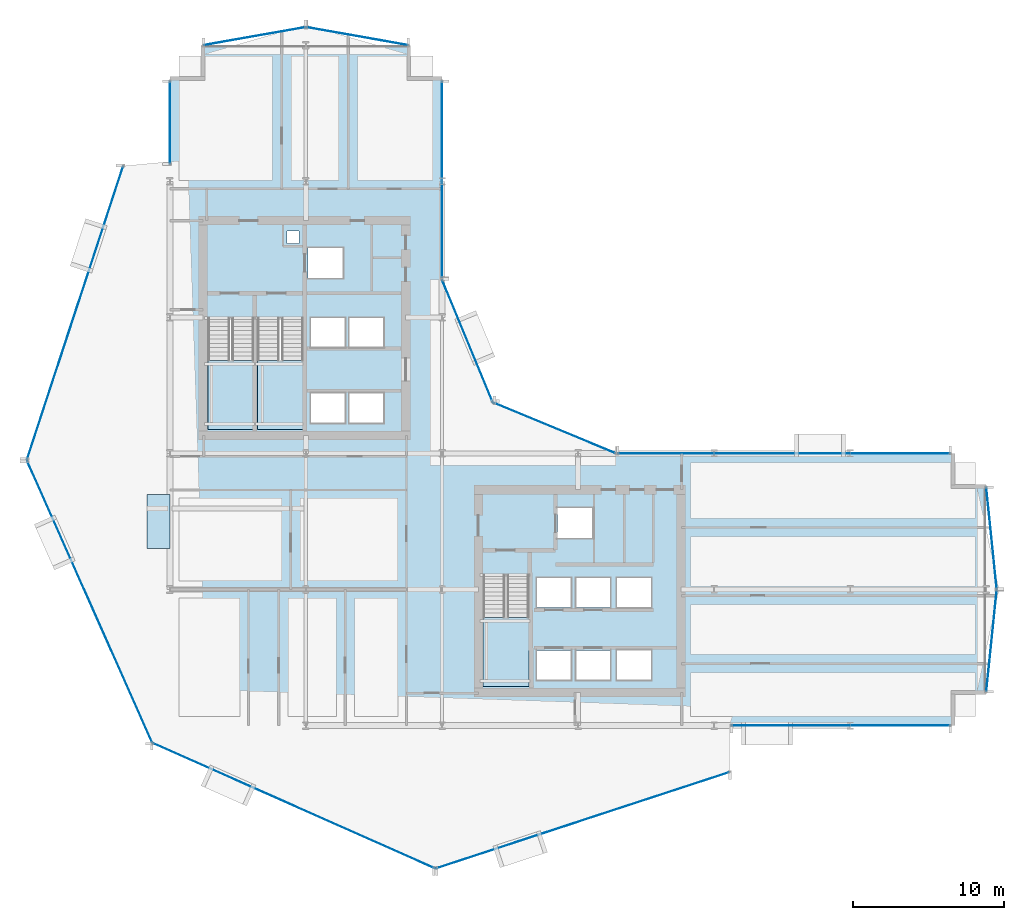
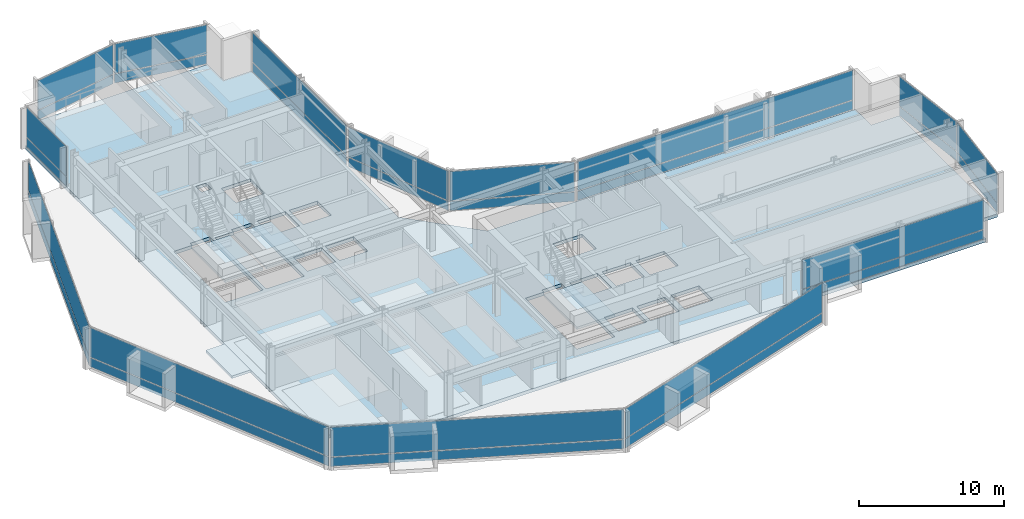
# One storey, part 26 of 34: 28 plates, 5 slabs, 17 elements without a shape of their own.
"""IFC4 building model written with IfcOpenShell, lengths in metres."""

from ifc_helpers import new_model, si_unit, direction, frame, origin, origin_2d, place, context, subcontext, project, spatial, polyline, rectangle, outline, extrude, material, layer, layer_set, type_object, element, aggregate, save


model = new_model("IFC4")

# Units and contexts
model_context = context("Model", 3, precision=1e-05, world=origin(), true_north=direction((0.0, 1.0)))
body_context = subcontext(model_context, "Body", "Model", "MODEL_VIEW")
ifc_project = project(units=[si_unit("LENGTHUNIT", "METRE"), si_unit("AREAUNIT", "SQUARE_METRE"), si_unit("VOLUMEUNIT", "CUBIC_METRE"), si_unit("PLANEANGLEUNIT", "RADIAN"), si_unit("MASSUNIT", "GRAM", prefix="KILO")], contexts=[model_context])

# Site, building, storey
site_placement = place(None, origin())
site = spatial("IfcSite", under=ifc_project, at=site_placement, CompositionType="ELEMENT")
building_placement = place(site_placement, origin())
building = spatial("IfcBuilding", under=site, at=building_placement, Name="Solvaryn Broadcast Tower", CompositionType="ELEMENT")
storey_placement = place(building_placement, frame((0.0, 0.0, 50.800048828125)))
storey = spatial("IfcBuildingStorey", under=building, at=storey_placement, Name="L11", CompositionType="ELEMENT", Elevation=50.800048828125)

# Curtain wall, plates
ifc_material_1 = material(Name="Aluminium and Terracotta Unitised Curtain Wall", Category="masonry")
ifc_layer_1 = layer(ifc_material_1, 0.199951171875)
ifc_layer_set_1 = layer_set([ifc_layer_1], Name="CW-SYS2-LOWMID")
curtain_wall_type = type_object("IfcCurtainWallType", Name="CW-SYS2-LOWMID", PredefinedType="NOTDEFINED", material=ifc_layer_set_1)
curtain_wall_1_placement = place(storey_placement, origin())
curtain_wall_1 = element("IfcCurtainWall", 1, at=curtain_wall_1_placement, inside=storey, type_object=curtain_wall_type, Name="L11 Curtain Wall DR1", PredefinedType="NOTDEFINED")
ifc_material_2 = material(Name="Low-Iron Insulated Vision Glass", Category="glass")
ifc_layer_2 = layer(ifc_material_2, 0.035888671875)
ifc_layer_set_2 = layer_set([ifc_layer_2], Name="CW-PNL-VISION")
plate_type = type_object("IfcPlateType", Name="CW-PNL-VISION", PredefinedType="CURTAIN_PANEL", material=ifc_layer_set_2)
plate_1_placement = place(storey_placement, frame((2.72607421875, 36.2880859375, 0.06005859375), z_axis=(0.0, 0.0, 1.0), x_axis=(-0.311594044587, -0.950215318429, 0.0)))
plate_1 = element("IfcPlate", 2, at=plate_1_placement, type_object=plate_type, Name="CWS2 panel 1.1", PredefinedType="CURTAIN_PANEL", context=body_context, shape_type="SweptSolid", body=[
    extrude(rectangle(XDim=20.35546875, YDim=0.028076171875, at=origin_2d()), origin(), (0.0, 0.0, 1.0), 0.760009765625),
])
plate_2_placement = place(storey_placement, frame((2.72607421875, 36.2880859375, 0.8798828125), z_axis=(0.0, 0.0, 1.0), x_axis=(-0.311594044587, -0.950215318429, 0.0)))
plate_2 = element("IfcPlate", 3, at=plate_2_placement, type_object=plate_type, Name="CWS2 panel 1.2", PredefinedType="CURTAIN_PANEL", context=body_context, shape_type="SweptSolid", body=[
    extrude(rectangle(XDim=20.35546875, YDim=0.028076171875, at=origin_2d()), origin(), (0.0, 0.0, 1.0), 2.47998046875),
])
aggregate(curtain_wall_1, [plate_1, plate_2])

curtain_wall_2_placement = place(storey_placement, origin())
curtain_wall_2 = element("IfcCurtainWall", 4, at=curtain_wall_2_placement, inside=storey, type_object=curtain_wall_type, Name="L11 Curtain Wall DR2", PredefinedType="NOTDEFINED")
plate_3_placement = place(storey_placement, frame((3.69140625, 17.20361328125, 0.06005859375), z_axis=(0.0, 0.0, 1.0), x_axis=(0.405898286554, -0.913918257271, 0.0)))
plate_3 = element("IfcPlate", 5, at=plate_3_placement, type_object=plate_type, Name="CWS2 panel 1.1", PredefinedType="CURTAIN_PANEL", context=body_context, shape_type="SweptSolid", body=[
    extrude(rectangle(XDim=20.35546875, YDim=0.028076171875, at=origin_2d()), origin(), (0.0, 0.0, 1.0), 0.760009765625),
])
plate_4_placement = place(storey_placement, frame((3.69140625, 17.20361328125, 0.8798828125), z_axis=(0.0, 0.0, 1.0), x_axis=(0.405898286554, -0.913918257271, 0.0)))
plate_4 = element("IfcPlate", 6, at=plate_4_placement, type_object=plate_type, Name="CWS2 panel 1.2", PredefinedType="CURTAIN_PANEL", context=body_context, shape_type="SweptSolid", body=[
    extrude(rectangle(XDim=20.35546875, YDim=0.028076171875, at=origin_2d()), origin(), (0.0, 0.0, 1.0), 2.47998046875),
])
aggregate(curtain_wall_2, [plate_3, plate_4])

curtain_wall_3_placement = place(storey_placement, origin())
curtain_wall_3 = element("IfcCurtainWall", 7, at=curtain_wall_3_placement, inside=storey, type_object=curtain_wall_type, Name="L11 Curtain Wall DR3", PredefinedType="NOTDEFINED")
plate_5_placement = place(storey_placement, frame((17.20361328125, 3.69140625, 0.06005859375), z_axis=(0.0, 0.0, 1.0), x_axis=(0.913918257271, -0.405898286554, 0.0)))
plate_5 = element("IfcPlate", 8, at=plate_5_placement, type_object=plate_type, Name="CWS2 panel 1.1", PredefinedType="CURTAIN_PANEL", context=body_context, shape_type="SweptSolid", body=[
    extrude(rectangle(XDim=20.35546875, YDim=0.028076171875, at=origin_2d()), origin(), (0.0, 0.0, 1.0), 0.760009765625),
])
plate_6_placement = place(storey_placement, frame((17.20361328125, 3.69140625, 0.8798828125), z_axis=(0.0, 0.0, 1.0), x_axis=(0.913918257271, -0.405898286554, 0.0)))
plate_6 = element("IfcPlate", 9, at=plate_6_placement, type_object=plate_type, Name="CWS2 panel 1.2", PredefinedType="CURTAIN_PANEL", context=body_context, shape_type="SweptSolid", body=[
    extrude(rectangle(XDim=20.35546875, YDim=0.028076171875, at=origin_2d()), origin(), (0.0, 0.0, 1.0), 2.47998046875),
])
aggregate(curtain_wall_3, [plate_5, plate_6])

curtain_wall_4_placement = place(storey_placement, origin())
curtain_wall_4 = element("IfcCurtainWall", 10, at=curtain_wall_4_placement, inside=storey, type_object=curtain_wall_type, Name="L11 Curtain Wall DR4", PredefinedType="NOTDEFINED")
plate_7_placement = place(storey_placement, frame((36.2880859375, 2.72607421875, 0.06005859375), z_axis=(0.0, 0.0, 1.0), x_axis=(0.950215318429, 0.311594044587, 0.0)))
plate_7 = element("IfcPlate", 11, at=plate_7_placement, type_object=plate_type, Name="CWS2 panel 1.1", PredefinedType="CURTAIN_PANEL", context=body_context, shape_type="SweptSolid", body=[
    extrude(rectangle(XDim=20.35546875, YDim=0.028076171875, at=origin_2d()), origin(), (0.0, 0.0, 1.0), 0.760009765625),
])
plate_8_placement = place(storey_placement, frame((36.2880859375, 2.72607421875, 0.8798828125), z_axis=(0.0, 0.0, 1.0), x_axis=(0.950215318429, 0.311594044587, 0.0)))
plate_8 = element("IfcPlate", 12, at=plate_8_placement, type_object=plate_type, Name="CWS2 panel 1.2", PredefinedType="CURTAIN_PANEL", context=body_context, shape_type="SweptSolid", body=[
    extrude(rectangle(XDim=20.35546875, YDim=0.028076171875, at=origin_2d()), origin(), (0.0, 0.0, 1.0), 2.47998046875),
])
aggregate(curtain_wall_4, [plate_7, plate_8])

curtain_wall_5_placement = place(storey_placement, origin())
curtain_wall_5 = element("IfcCurtainWall", 13, at=curtain_wall_5_placement, inside=storey, type_object=curtain_wall_type, Name="L11 Curtain Wall W2", PredefinedType="NOTDEFINED")
plate_9_placement = place(storey_placement, frame((9.0, 48.883056640625, 0.06005859375), z_axis=(0.0, 0.0, 1.0), x_axis=(0.0, 1.0, 0.0)))
plate_9 = element("IfcPlate", 14, at=plate_9_placement, type_object=plate_type, Name="CWS2 panel 1.1", PredefinedType="CURTAIN_PANEL", context=body_context, shape_type="SweptSolid", body=[
    extrude(rectangle(XDim=5.4140625, YDim=0.028076171875, at=origin_2d()), origin(), (0.0, 0.0, 1.0), 0.760009765625),
])
plate_10_placement = place(storey_placement, frame((9.0, 48.883056640625, 0.8798828125), z_axis=(0.0, 0.0, 1.0), x_axis=(0.0, 1.0, 0.0)))
plate_10 = element("IfcPlate", 15, at=plate_10_placement, type_object=plate_type, Name="CWS2 panel 1.2", PredefinedType="CURTAIN_PANEL", context=body_context, shape_type="SweptSolid", body=[
    extrude(rectangle(XDim=5.4140625, YDim=0.028076171875, at=origin_2d()), origin(), (0.0, 0.0, 1.0), 2.47998046875),
])
aggregate(curtain_wall_5, [plate_9, plate_10])

curtain_wall_6_placement = place(storey_placement, origin())
curtain_wall_6 = element("IfcCurtainWall", 16, at=curtain_wall_6_placement, inside=storey, type_object=curtain_wall_type, Name="L11 Curtain Wall IV", PredefinedType="NOTDEFINED")
plate_11_placement = place(storey_placement, frame((27.0, 45.125, 0.06005859375), z_axis=(0.0, 0.0, 1.0), x_axis=(0.0, -1.0, 0.0)))
plate_11 = element("IfcPlate", 17, at=plate_11_placement, type_object=plate_type, Name="CWS2 panel 1.1", PredefinedType="CURTAIN_PANEL", context=body_context, shape_type="SweptSolid", body=[
    extrude(rectangle(XDim=12.929931640625, YDim=0.028076171875, at=origin_2d()), origin(), (0.0, 0.0, 1.0), 0.760009765625),
])
plate_12_placement = place(storey_placement, frame((27.0, 45.125, 0.8798828125), z_axis=(0.0, 0.0, 1.0), x_axis=(0.0, -1.0, 0.0)))
plate_12 = element("IfcPlate", 18, at=plate_12_placement, type_object=plate_type, Name="CWS2 panel 1.2", PredefinedType="CURTAIN_PANEL", context=body_context, shape_type="SweptSolid", body=[
    extrude(rectangle(XDim=12.929931640625, YDim=0.028076171875, at=origin_2d()), origin(), (0.0, 0.0, 1.0), 2.47998046875),
])
aggregate(curtain_wall_6, [plate_11, plate_12])

curtain_wall_7_placement = place(storey_placement, origin())
curtain_wall_7 = element("IfcCurtainWall", 19, at=curtain_wall_7_placement, inside=storey, type_object=curtain_wall_type, Name="L11 Curtain Wall CN1", PredefinedType="NOTDEFINED")
plate_13_placement = place(storey_placement, frame((34.43408203125, 28.68408203125, 0.06005859375), z_axis=(0.0, 0.0, 1.0), x_axis=(-0.923894983957, 0.382646127145, 0.0)))
plate_13 = element("IfcPlate", 20, at=plate_13_placement, type_object=plate_type, Name="CWS2 panel 1.1", PredefinedType="CURTAIN_PANEL", context=body_context, shape_type="SweptSolid", body=[
    extrude(rectangle(XDim=8.681884765625, YDim=0.028076171875, at=origin_2d()), origin(), (0.0, 0.0, 1.0), 0.760009765625),
])
plate_14_placement = place(storey_placement, frame((34.43408203125, 28.68408203125, 0.8798828125), z_axis=(0.0, 0.0, 1.0), x_axis=(-0.923894983957, 0.382646127145, 0.0)))
plate_14 = element("IfcPlate", 21, at=plate_14_placement, type_object=plate_type, Name="CWS2 panel 1.2", PredefinedType="CURTAIN_PANEL", context=body_context, shape_type="SweptSolid", body=[
    extrude(rectangle(XDim=8.681884765625, YDim=0.028076171875, at=origin_2d()), origin(), (0.0, 0.0, 1.0), 2.47998046875),
])
aggregate(curtain_wall_7, [plate_13, plate_14])

curtain_wall_8_placement = place(storey_placement, origin())
curtain_wall_8 = element("IfcCurtainWall", 22, at=curtain_wall_8_placement, inside=storey, type_object=curtain_wall_type, Name="L11 Curtain Wall CN2", PredefinedType="NOTDEFINED")
plate_15_placement = place(storey_placement, frame((28.68408203125, 34.43408203125, 0.06005859375), z_axis=(0.0, 0.0, 1.0), x_axis=(-0.382646127145, 0.923894983957, 0.0)))
plate_15 = element("IfcPlate", 23, at=plate_15_placement, type_object=plate_type, Name="CWS2 panel 1.1", PredefinedType="CURTAIN_PANEL", context=body_context, shape_type="SweptSolid", body=[
    extrude(rectangle(XDim=8.681884765625, YDim=0.028076171875, at=origin_2d()), origin(), (0.0, 0.0, 1.0), 0.760009765625),
])
plate_16_placement = place(storey_placement, frame((28.68408203125, 34.43408203125, 0.8798828125), z_axis=(0.0, 0.0, 1.0), x_axis=(-0.382646127145, 0.923894983957, 0.0)))
plate_16 = element("IfcPlate", 24, at=plate_16_placement, type_object=plate_type, Name="CWS2 panel 1.2", PredefinedType="CURTAIN_PANEL", context=body_context, shape_type="SweptSolid", body=[
    extrude(rectangle(XDim=8.681884765625, YDim=0.028076171875, at=origin_2d()), origin(), (0.0, 0.0, 1.0), 2.47998046875),
])
aggregate(curtain_wall_8, [plate_15, plate_16])

curtain_wall_9_placement = place(storey_placement, origin())
curtain_wall_9 = element("IfcCurtainWall", 25, at=curtain_wall_9_placement, inside=storey, type_object=curtain_wall_type, Name="L11 Curtain Wall S2", PredefinedType="NOTDEFINED")
plate_17_placement = place(storey_placement, frame((53.383056640625, 9.0, 0.06005859375), z_axis=(0.0, 0.0, 1.0), x_axis=(1.0, 0.0, 0.0)))
plate_17 = element("IfcPlate", 26, at=plate_17_placement, type_object=plate_type, Name="CWS2 panel 1.1", PredefinedType="CURTAIN_PANEL", context=body_context, shape_type="SweptSolid", body=[
    extrude(rectangle(XDim=14.4140625, YDim=0.028076171875, at=origin_2d()), origin(), (0.0, 0.0, 1.0), 0.760009765625),
])
plate_18_placement = place(storey_placement, frame((53.383056640625, 9.0, 0.8798828125), z_axis=(0.0, 0.0, 1.0), x_axis=(1.0, 0.0, 0.0)))
plate_18 = element("IfcPlate", 27, at=plate_18_placement, type_object=plate_type, Name="CWS2 panel 1.2", PredefinedType="CURTAIN_PANEL", context=body_context, shape_type="SweptSolid", body=[
    extrude(rectangle(XDim=14.4140625, YDim=0.028076171875, at=origin_2d()), origin(), (0.0, 0.0, 1.0), 2.47998046875),
])
aggregate(curtain_wall_9, [plate_17, plate_18])

curtain_wall_10_placement = place(storey_placement, origin())
curtain_wall_10 = element("IfcCurtainWall", 28, at=curtain_wall_10_placement, inside=storey, type_object=curtain_wall_type, Name="L11 Curtain Wall NT1", PredefinedType="NOTDEFINED")
plate_19_placement = place(storey_placement, frame((21.39990234375, 54.60009765625, 0.06005859375), z_axis=(0.0, 0.0, 1.0), x_axis=(-0.984783558819, 0.173785333901, 0.0)))
plate_19 = element("IfcPlate", 29, at=plate_19_placement, type_object=plate_type, Name="CWS2 panel 1.1", PredefinedType="CURTAIN_PANEL", context=body_context, shape_type="SweptSolid", body=[
    extrude(rectangle(XDim=6.78515625, YDim=0.028076171875, at=origin_2d()), origin(), (0.0, 0.0, 1.0), 0.760009765625),
])
plate_20_placement = place(storey_placement, frame((21.39990234375, 54.60009765625, 0.8798828125), z_axis=(0.0, 0.0, 1.0), x_axis=(-0.984783558819, 0.173785333901, 0.0)))
plate_20 = element("IfcPlate", 30, at=plate_20_placement, type_object=plate_type, Name="CWS2 panel 1.2", PredefinedType="CURTAIN_PANEL", context=body_context, shape_type="SweptSolid", body=[
    extrude(rectangle(XDim=6.78515625, YDim=0.028076171875, at=origin_2d()), origin(), (0.0, 0.0, 1.0), 2.47998046875),
])
aggregate(curtain_wall_10, [plate_19, plate_20])

curtain_wall_11_placement = place(storey_placement, origin())
curtain_wall_11 = element("IfcCurtainWall", 31, at=curtain_wall_11_placement, inside=storey, type_object=curtain_wall_type, Name="L11 Curtain Wall NT2", PredefinedType="NOTDEFINED")
plate_21_placement = place(storey_placement, frame((14.60009765625, 54.60009765625, 0.06005859375), z_axis=(0.0, 0.0, 1.0), x_axis=(-0.984783558819, -0.173785333901, 0.0)))
plate_21 = element("IfcPlate", 32, at=plate_21_placement, type_object=plate_type, Name="CWS2 panel 1.1", PredefinedType="CURTAIN_PANEL", context=body_context, shape_type="SweptSolid", body=[
    extrude(rectangle(XDim=6.78515625, YDim=0.028076171875, at=origin_2d()), origin(), (0.0, 0.0, 1.0), 0.760009765625),
])
plate_22_placement = place(storey_placement, frame((14.60009765625, 54.60009765625, 0.8798828125), z_axis=(0.0, 0.0, 1.0), x_axis=(-0.984783558819, -0.173785333901, 0.0)))
plate_22 = element("IfcPlate", 33, at=plate_22_placement, type_object=plate_type, Name="CWS2 panel 1.2", PredefinedType="CURTAIN_PANEL", context=body_context, shape_type="SweptSolid", body=[
    extrude(rectangle(XDim=6.78515625, YDim=0.028076171875, at=origin_2d()), origin(), (0.0, 0.0, 1.0), 2.47998046875),
])
aggregate(curtain_wall_11, [plate_21, plate_22])

curtain_wall_12_placement = place(storey_placement, origin())
curtain_wall_12 = element("IfcCurtainWall", 34, at=curtain_wall_12_placement, inside=storey, type_object=curtain_wall_type, Name="L11 Curtain Wall ET1", PredefinedType="NOTDEFINED")
plate_23_placement = place(storey_placement, frame((63.35009765625, 21.39990234375, 0.06005859375), z_axis=(0.0, 0.0, 1.0), x_axis=(0.10240004548, -0.99474329889, 0.0)))
plate_23 = element("IfcPlate", 35, at=plate_23_placement, type_object=plate_type, Name="CWS2 panel 1.1", PredefinedType="CURTAIN_PANEL", context=body_context, shape_type="SweptSolid", body=[
    extrude(rectangle(XDim=6.7158203125, YDim=0.028076171875, at=origin_2d()), origin(), (0.0, 0.0, 1.0), 0.760009765625),
])
plate_24_placement = place(storey_placement, frame((63.35009765625, 21.39990234375, 0.8798828125), z_axis=(0.0, 0.0, 1.0), x_axis=(0.10240004548, -0.99474329889, 0.0)))
plate_24 = element("IfcPlate", 36, at=plate_24_placement, type_object=plate_type, Name="CWS2 panel 1.2", PredefinedType="CURTAIN_PANEL", context=body_context, shape_type="SweptSolid", body=[
    extrude(rectangle(XDim=6.7158203125, YDim=0.028076171875, at=origin_2d()), origin(), (0.0, 0.0, 1.0), 2.47998046875),
])
aggregate(curtain_wall_12, [plate_23, plate_24])

curtain_wall_13_placement = place(storey_placement, origin())
curtain_wall_13 = element("IfcCurtainWall", 37, at=curtain_wall_13_placement, inside=storey, type_object=curtain_wall_type, Name="L11 Curtain Wall ET2", PredefinedType="NOTDEFINED")
plate_25_placement = place(storey_placement, frame((63.35009765625, 14.60009765625, 0.06005859375), z_axis=(0.0, 0.0, 1.0), x_axis=(-0.10240004548, -0.99474329889, 0.0)))
plate_25 = element("IfcPlate", 38, at=plate_25_placement, type_object=plate_type, Name="CWS2 panel 1.1", PredefinedType="CURTAIN_PANEL", context=body_context, shape_type="SweptSolid", body=[
    extrude(rectangle(XDim=6.7158203125, YDim=0.028076171875, at=origin_2d()), origin(), (0.0, 0.0, 1.0), 0.760009765625),
])
plate_26_placement = place(storey_placement, frame((63.35009765625, 14.60009765625, 0.8798828125), z_axis=(0.0, 0.0, 1.0), x_axis=(-0.10240004548, -0.99474329889, 0.0)))
plate_26 = element("IfcPlate", 39, at=plate_26_placement, type_object=plate_type, Name="CWS2 panel 1.2", PredefinedType="CURTAIN_PANEL", context=body_context, shape_type="SweptSolid", body=[
    extrude(rectangle(XDim=6.7158203125, YDim=0.028076171875, at=origin_2d()), origin(), (0.0, 0.0, 1.0), 2.47998046875),
])
aggregate(curtain_wall_13, [plate_25, plate_26])

curtain_wall_14_placement = place(storey_placement, origin())
curtain_wall_14 = element("IfcCurtainWall", 40, at=curtain_wall_14_placement, inside=storey, type_object=curtain_wall_type, Name="L11 Curtain Wall IH", PredefinedType="NOTDEFINED")
plate_27_placement = place(storey_placement, frame((49.625, 27.0, 0.06005859375), z_axis=(0.0, 0.0, 1.0), x_axis=(1.0, 0.0, 0.0)))
plate_27 = element("IfcPlate", 41, at=plate_27_placement, type_object=plate_type, Name="CWS2 panel 1.1", PredefinedType="CURTAIN_PANEL", context=body_context, shape_type="SweptSolid", body=[
    extrude(rectangle(XDim=21.929931640625, YDim=0.028076171875, at=origin_2d()), origin(), (0.0, 0.0, 1.0), 0.760009765625),
])
plate_28_placement = place(storey_placement, frame((49.625, 27.0, 0.8798828125), z_axis=(0.0, 0.0, 1.0), x_axis=(1.0, 0.0, 0.0)))
plate_28 = element("IfcPlate", 42, at=plate_28_placement, type_object=plate_type, Name="CWS2 panel 1.2", PredefinedType="CURTAIN_PANEL", context=body_context, shape_type="SweptSolid", body=[
    extrude(rectangle(XDim=21.929931640625, YDim=0.028076171875, at=origin_2d()), origin(), (0.0, 0.0, 1.0), 2.47998046875),
])
aggregate(curtain_wall_14, [plate_27, plate_28])

# Slab
ifc_material_3 = material(Name="Concrete f'c 60 MPa", Category="concrete")
ifc_layer_3 = layer(ifc_material_3, 0.2099609375)
ifc_layer_set_3 = layer_set([ifc_layer_3], Name="SL-BAYBOX-210")
slab_type_1 = type_object("IfcSlabType", Name="SL-BAYBOX-210", PredefinedType="FLOOR", material=ifc_layer_set_3)
slab_1_placement = place(storey_placement, frame((0.0, 0.0, -0.2099609375)))
element("IfcSlab", 43, at=slab_1_placement, inside=storey, type_object=slab_type_1, Name="L11 Projecting Bay-Box Slab 1", PredefinedType="FLOOR", context=body_context, shape_type="SweptSolid", body=[
    extrude(outline(polyline([(7.5, 20.699951171875), (9.0, 20.699951171875), (9.0, 24.300048828125), (7.5, 24.300048828125), (7.5, 20.699951171875)])), origin(), (0.0, 0.0, 1.0), 0.2099609375),
])

# Stair, slab
ifc_material_4 = material(Name="Concrete f'c 60 MPa", Category="concrete")
stair_type = type_object("IfcStairType", Name="ST-CORE", PredefinedType="HALF_TURN_STAIR", material=ifc_material_4)
stair_1_placement = place(storey_placement, origin())
stair_1 = element("IfcStair", 44, at=stair_1_placement, inside=storey, type_object=stair_type, Name="L11 ST1", PredefinedType="HALF_TURN_STAIR")
ifc_material_5 = material(Name="Concrete f'c 60 MPa", Category="concrete")
ifc_layer_4 = layer(ifc_material_5, 0.199951171875)
ifc_layer_set_4 = layer_set([ifc_layer_4], Name="SL-LANDING-200")
slab_type_2 = type_object("IfcSlabType", Name="SL-LANDING-200", PredefinedType="LANDING", material=ifc_layer_set_4)
slab_2_placement = place(storey_placement, frame((0.0, 0.0, 1.64990234375)))
slab_2 = element("IfcSlab", 45, at=slab_2_placement, type_object=slab_type_2, Name="ST1 landing 1", PredefinedType="LANDING", context=body_context, shape_type="SweptSolid", body=[
    extrude(outline(polyline([(11.52001953125, 33.159912109375), (11.52001953125, 28.60009765625), (14.550048828125, 28.60009765625), (14.550048828125, 33.159912109375), (11.52001953125, 33.159912109375)])), origin(), (0.0, 0.0, 1.0), 0.199951171875),
])
aggregate(stair_1, [slab_2])

stair_2_placement = place(storey_placement, origin())
stair_2 = element("IfcStair", 46, at=stair_2_placement, inside=storey, type_object=stair_type, Name="L11 ST2", PredefinedType="HALF_TURN_STAIR")
slab_3_placement = place(storey_placement, frame((0.0, 0.0, 1.64990234375)))
slab_3 = element("IfcSlab", 47, at=slab_3_placement, type_object=slab_type_2, Name="ST2 landing 1", PredefinedType="LANDING", context=body_context, shape_type="SweptSolid", body=[
    extrude(outline(polyline([(14.800048828125, 33.159912109375), (14.800048828125, 28.60009765625), (17.830078125, 28.60009765625), (17.830078125, 33.159912109375), (14.800048828125, 33.159912109375)])), origin(), (0.0, 0.0, 1.0), 0.199951171875),
])
aggregate(stair_2, [slab_3])

stair_3_placement = place(storey_placement, origin())
stair_3 = element("IfcStair", 48, at=stair_3_placement, inside=storey, type_object=stair_type, Name="L11 ST3", PredefinedType="HALF_TURN_STAIR")
slab_4_placement = place(storey_placement, frame((0.0, 0.0, 1.64990234375)))
slab_4 = element("IfcSlab", 49, at=slab_4_placement, type_object=slab_type_2, Name="ST3 landing 1", PredefinedType="LANDING", context=body_context, shape_type="SweptSolid", body=[
    extrude(outline(polyline([(29.719970703125, 16.159912109375), (29.719970703125, 11.60009765625), (32.75, 11.60009765625), (32.75, 16.159912109375), (29.719970703125, 16.159912109375)])), origin(), (0.0, 0.0, 1.0), 0.199951171875),
])
aggregate(stair_3, [slab_4])

# Slab
ifc_material_6 = material(Name="Concrete f'c 60 MPa", Category="concrete")
ifc_layer_5 = layer(ifc_material_6, 0.280029296875)
ifc_layer_set_5 = layer_set([ifc_layer_5], Name="SL-TWR-280")
slab_type_3 = type_object("IfcSlabType", Name="SL-TWR-280", PredefinedType="FLOOR", material=ifc_layer_set_5)
slab_5_placement = place(storey_placement, frame((0.0, 0.0, -0.280029296875)))
element("IfcSlab", 50, at=slab_5_placement, inside=storey, type_object=slab_type_3, Name="L11 Structural Floor Slab", PredefinedType="FLOOR", context=body_context, shape_type="SweptSolid", body=[
    extrude(outline(polyline([(11.199951171875, 9.0), (60.800048828125, 9.0), (60.800048828125, 11.199951171875), (63.0, 11.199951171875), (63.0, 24.800048828125), (60.800048828125, 24.800048828125), (60.800048828125, 27.0), (31.5, 27.0), (27.0, 31.5), (27.0, 51.800048828125), (24.800048828125, 51.800048828125), (24.800048828125, 54.0), (11.199951171875, 54.0), (11.199951171875, 51.800048828125), (9.0, 51.800048828125), (9.0, 11.199951171875), (11.199951171875, 11.199951171875), (11.199951171875, 9.0)]), holes=[polyline([(11.52001953125, 28.60009765625), (14.550048828125, 28.60009765625), (14.550048828125, 35.9599609375), (12.97998046875, 35.9599609375), (12.97998046875, 35.679931640625), (11.52001953125, 35.679931640625), (11.52001953125, 28.60009765625)]), polyline([(14.800048828125, 28.60009765625), (17.830078125, 28.60009765625), (17.830078125, 35.9599609375), (16.260009765625, 35.9599609375), (16.260009765625, 35.679931640625), (14.800048828125, 35.679931640625), (14.800048828125, 28.60009765625)]), polyline([(29.719970703125, 11.60009765625), (32.75, 11.60009765625), (32.75, 18.9599609375), (31.179931640625, 18.9599609375), (31.179931640625, 18.679931640625), (29.719970703125, 18.679931640625), (29.719970703125, 11.60009765625)]), polyline([(18.14990234375, 38.60009765625), (20.449951171875, 38.60009765625), (20.449951171875, 40.60009765625), (18.14990234375, 40.60009765625), (18.14990234375, 38.60009765625)]), polyline([(18.324951171875, 29.02490234375), (20.574951171875, 29.02490234375), (20.574951171875, 30.97509765625), (18.324951171875, 30.97509765625), (18.324951171875, 29.02490234375)]), polyline([(20.875, 29.02490234375), (23.125, 29.02490234375), (23.125, 30.97509765625), (20.875, 30.97509765625), (20.875, 29.02490234375)]), polyline([(18.324951171875, 34.02490234375), (20.574951171875, 34.02490234375), (20.574951171875, 35.97509765625), (18.324951171875, 35.97509765625), (18.324951171875, 34.02490234375)]), polyline([(20.875, 34.02490234375), (23.125, 34.02490234375), (23.125, 35.97509765625), (20.875, 35.97509765625), (20.875, 34.02490234375)]), polyline([(34.64990234375, 21.39990234375), (36.949951171875, 21.39990234375), (36.949951171875, 23.39990234375), (34.64990234375, 23.39990234375), (34.64990234375, 21.39990234375)]), polyline([(33.27490234375, 12.02490234375), (35.52490234375, 12.02490234375), (35.52490234375, 13.97509765625), (33.27490234375, 13.97509765625), (33.27490234375, 12.02490234375)]), polyline([(35.875, 12.02490234375), (38.125, 12.02490234375), (38.125, 13.97509765625), (35.875, 13.97509765625), (35.875, 12.02490234375)]), polyline([(33.27490234375, 16.824951171875), (35.52490234375, 16.824951171875), (35.52490234375, 18.77490234375), (33.27490234375, 18.77490234375), (33.27490234375, 16.824951171875)]), polyline([(35.875, 16.824951171875), (38.125, 16.824951171875), (38.125, 18.77490234375), (35.875, 18.77490234375), (35.875, 16.824951171875)]), polyline([(38.574951171875, 12.02490234375), (40.824951171875, 12.02490234375), (40.824951171875, 13.97509765625), (38.574951171875, 13.97509765625), (38.574951171875, 12.02490234375)]), polyline([(38.574951171875, 16.824951171875), (40.824951171875, 16.824951171875), (40.824951171875, 18.77490234375), (38.574951171875, 18.77490234375), (38.574951171875, 16.824951171875)]), polyline([(16.75, 40.89990234375), (17.550048828125, 40.89990234375), (17.550048828125, 41.699951171875), (16.75, 41.699951171875), (16.75, 40.89990234375)])]), origin(), (0.0, 0.0, 1.0), 0.280029296875),
])

save(model, "model.ifc")
